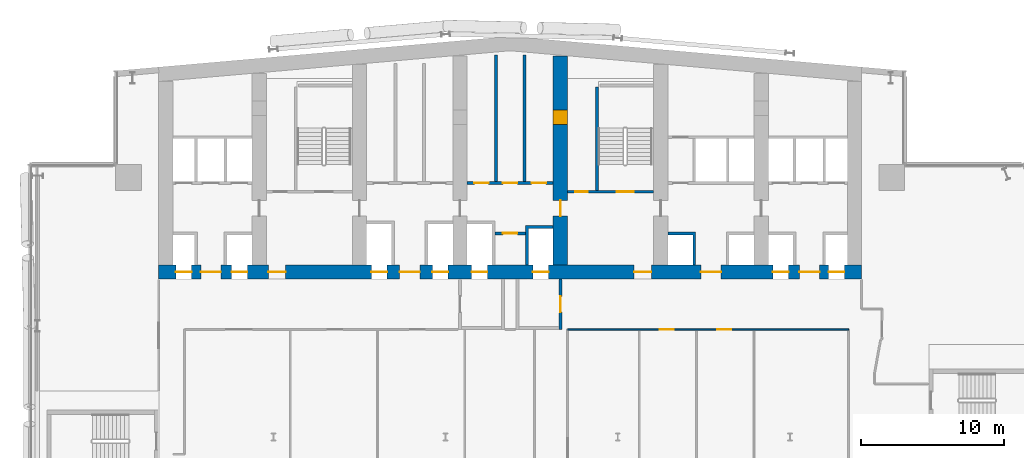
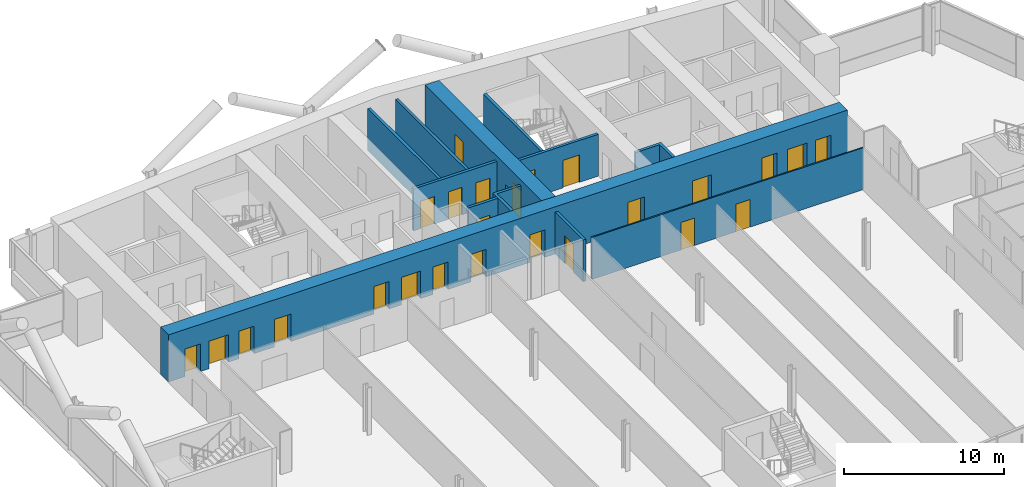
# One storey, part 16 of 25: 25 doors, 12 walls, 25 openings.
"""IFC4 building model written with IfcOpenShell, lengths in metres."""

from ifc_helpers import new_model, si_unit, direction, frame, frame_2d, origin, place, context, subcontext, project, spatial, polyline, rectangle, outline, extrude, material, layer, layer_set, type_object, element, fill, save


model = new_model("IFC4")

# Units and contexts
model_context = context("Model", 3, precision=1e-05, world=origin(), true_north=direction((0.0, 1.0)))
body_context = subcontext(model_context, "Body", "Model", "MODEL_VIEW")
ifc_project = project(units=[si_unit("LENGTHUNIT", "METRE"), si_unit("AREAUNIT", "SQUARE_METRE"), si_unit("VOLUMEUNIT", "CUBIC_METRE"), si_unit("PLANEANGLEUNIT", "RADIAN"), si_unit("MASSUNIT", "GRAM", prefix="KILO")], contexts=[model_context])

# Site, building, storey
site_placement = place(None, origin())
site = spatial("IfcSite", under=ifc_project, at=site_placement, CompositionType="ELEMENT")
building_placement = place(site_placement, origin())
building = spatial("IfcBuilding", under=site, at=building_placement, Name="Wharfspan Tower", CompositionType="ELEMENT")
storey_placement = place(building_placement, frame((0.0, 0.0, 129.100098)))
storey = spatial("IfcBuildingStorey", under=building, at=storey_placement, Name="L30", CompositionType="ELEMENT", Elevation=129.100098)

# Wall, openings, doors
ifc_material_1 = material(Name="Gypsum board on steel studs", Category="steel")
ifc_layer_1 = layer(ifc_material_1, 0.100098)
ifc_layer_set_1 = layer_set([ifc_layer_1], Name="Gypsum board on steel studs")
wall_type_1 = type_object("IfcWallType", Name="Compartment wall 100 EI 60", PredefinedType="PARTITIONING", material=ifc_layer_set_1)
wall_1_placement = place(storey_placement, frame((44.51001, 30.5, 0.0), z_axis=(0.0, 0.0, 1.0), x_axis=(1.0, 0.0, 0.0)))
wall_1 = element("IfcWall", 1, at=wall_1_placement, inside=storey, type_object=wall_type_1, Name="Partition L30.w014", PredefinedType="PARTITIONING", context=body_context, shape_type="SweptSolid", body=[
    extrude(rectangle(XDim=19.590088, YDim=0.100098, at=frame_2d((9.794922, 0.0))), origin(), (0.0, 0.0, 1.0), 3.199951),
])
opening_1_placement = place(wall_1_placement, frame((6.409912, 0.0, 0.0)))
opening_1 = element("IfcOpeningElement", 2, at=opening_1_placement, cuts=wall_1, Name="Opening B4-13", PredefinedType="OPENING", context=body_context, shape_type="SweptSolid", body=[
    extrude(rectangle(XDim=1.0, YDim=2.100098, at=frame_2d((0.5, 1.050049))), frame((0.0, 0.060059, 0.0), z_axis=(0.0, -1.0, 0.0), x_axis=(1.0, 0.0, 0.0)), (0.0, 0.0, 1.0), 0.120117),
])
opening_2_placement = place(wall_1_placement, frame((10.409912, 0.0, 0.0)))
opening_2 = element("IfcOpeningElement", 3, at=opening_2_placement, cuts=wall_1, Name="Opening B4-14", PredefinedType="OPENING", context=body_context, shape_type="SweptSolid", body=[
    extrude(rectangle(XDim=1.0, YDim=2.100098, at=frame_2d((0.5, 1.050049))), frame((0.0, 0.060059, 0.0), z_axis=(0.0, -1.0, 0.0), x_axis=(1.0, 0.0, 0.0)), (0.0, 0.0, 1.0), 0.120117),
])
ifc_material_2 = material(Name="Fire-rated timber door leaf in steel frame", Category="steel")
door_type_1 = type_object("IfcDoorType", Name="Door 1000 FD30S Left", OperationType="SINGLE_SWING_LEFT", PredefinedType="DOOR", material=ifc_material_2)
door_1_placement = place(opening_1_placement, origin())
door_1 = element("IfcDoor", 4, at=door_1_placement, inside=storey, type_object=door_type_1, Name="Door B4-13", OperationType="SINGLE_SWING_LEFT", OverallHeight=2.100098, OverallWidth=1.0, PredefinedType="DOOR", context=body_context, shape_type="SweptSolid", body=[
    extrude(rectangle(XDim=1.0, YDim=2.100098, at=frame_2d((0.5, 1.050049))), frame((0.0, 0.024902, 0.0), z_axis=(0.0, -1.0, 0.0), x_axis=(1.0, 0.0, 0.0)), (0.0, 0.0, 1.0), 0.050049),
])
fill(opening_1, door_1)
door_type_2 = type_object("IfcDoorType", Name="Door 1000 FD30S Right", OperationType="SINGLE_SWING_RIGHT", PredefinedType="DOOR", material=ifc_material_2)
door_2_placement = place(opening_2_placement, origin())
door_2 = element("IfcDoor", 5, at=door_2_placement, inside=storey, type_object=door_type_2, Name="Door B4-14", OperationType="SINGLE_SWING_RIGHT", OverallHeight=2.100098, OverallWidth=1.0, PredefinedType="DOOR", context=body_context, shape_type="SweptSolid", body=[
    extrude(rectangle(XDim=1.0, YDim=2.100098, at=frame_2d((0.5, 1.050049))), frame((0.0, 0.024902, 0.0), z_axis=(0.0, -1.0, 0.0), x_axis=(1.0, 0.0, 0.0)), (0.0, 0.0, 1.0), 0.050049),
])
fill(opening_2, door_2)

# Wall, opening, door
ifc_material_3 = material(Name="Calcium silicate masonry", Category="masonry")
ifc_layer_2 = layer(ifc_material_3, 0.199951)
ifc_layer_set_2 = layer_set([ifc_layer_2], Name="Calcium silicate masonry")
wall_type_2 = type_object("IfcWallType", Name="Core room wall 200", PredefinedType="PARTITIONING", material=ifc_layer_set_2)
wall_2_placement = place(storey_placement, frame((39.43335, 37.199951, 0.0), z_axis=(0.0, 0.0, 1.0), x_axis=(1.0, 0.0, 0.0)))
wall_2 = element("IfcWall", 6, at=wall_2_placement, inside=storey, type_object=wall_type_2, Name="sw:L30:FR4.2", PredefinedType="PARTITIONING", context=body_context, shape_type="SweptSolid", body=[
    extrude(rectangle(XDim=2.133301, YDim=0.199951, at=frame_2d((1.06665, 0.0))), origin(), (0.0, 0.0, 1.0), 3.199951),
])
opening_3_placement = place(wall_2_placement, frame((0.56665, 0.0, 0.0)))
opening_3 = element("IfcOpeningElement", 7, at=opening_3_placement, cuts=wall_2, Name="Opening CD30.4H2", PredefinedType="OPENING", context=body_context, shape_type="SweptSolid", body=[
    extrude(rectangle(XDim=1.0, YDim=2.100098, at=frame_2d((0.5, 1.050049))), frame((0.0, 0.109863, 0.0), z_axis=(0.0, -1.0, 0.0), x_axis=(1.0, 0.0, 0.0)), (0.0, 0.0, 1.0), 0.219971),
])
ifc_material_4 = material(Name="Steel door leaf", Category="steel")
door_type_3 = type_object("IfcDoorType", Name="Core room door 1000x2100", OperationType="SINGLE_SWING_LEFT", PredefinedType="DOOR", material=ifc_material_4)
door_3_placement = place(opening_3_placement, origin())
door_3 = element("IfcDoor", 8, at=door_3_placement, inside=storey, type_object=door_type_3, Name="d:L30:4:fh4.2", OperationType="SINGLE_SWING_RIGHT", OverallHeight=2.100098, OverallWidth=1.0, PredefinedType="DOOR", context=body_context, shape_type="SweptSolid", body=[
    extrude(rectangle(XDim=1.0, YDim=2.100098, at=frame_2d((0.5, 1.050049))), frame((0.0, 0.024902, 0.0), z_axis=(0.0, -1.0, 0.0), x_axis=(1.0, 0.0, 0.0)), (0.0, 0.0, 1.0), 0.050049),
])
fill(opening_3, door_3)

# Walls
for number, where, z_axis, x_axis, name in (
    (9, (39.5, 40.800049, 0.0), (0.0, 0.0, 1.0), (0.0, 1.0, 0.0), "sw:L30:RP4.1"),
    (10, (41.5, 40.800049, 0.0), (0.0, 0.0, 1.0), (0.0, 1.0, 0.0), "sw:L30:RP4.2"),
):
    element("IfcWall", number, at=place(storey_placement, frame(where, z_axis=z_axis, x_axis=x_axis)), inside=storey, type_object=wall_type_2, Name=name, PredefinedType="PARTITIONING", context=body_context, shape_type="SweptSolid", body=[
        extrude(rectangle(XDim=8.844482, YDim=0.199951, at=frame_2d((4.422363, 0.0))), origin(), (0.0, 0.0, 1.0), 3.199951),
    ])

# Wall, openings, doors
ifc_material_5 = material(Name="Concrete C70/85", Category="concrete")
ifc_layer_3 = layer(ifc_material_5, 1.0)
ifc_layer_set_3 = layer_set([ifc_layer_3], Name="Concrete C70/85")
wall_type_3 = type_object("IfcWallType", Name="Core wall 1000 C70/85", PredefinedType="SHEAR", material=ifc_layer_set_3)
wall_3_placement = place(storey_placement, frame((16.0, 34.5, 0.0), z_axis=(0.0, 0.0, 1.0), x_axis=(1.0, 0.0, 0.0)))
wall_3 = element("IfcWall", 11, at=wall_3_placement, inside=storey, type_object=wall_type_3, Name="Core front wall L30", PredefinedType="SHEAR", context=body_context, shape_type="SweptSolid", body=[
    extrude(rectangle(XDim=49.0, YDim=1.0, at=frame_2d((24.5, 0.0))), origin(), (0.0, 0.0, 1.0), 3.599854),
])
opening_4_placement = place(wall_3_placement, frame((1.199951, 0.0, 0.0)))
opening_4 = element("IfcOpeningElement", 12, at=opening_4_placement, cuts=wall_3, Name="Opening LD.LA1.L30", PredefinedType="OPENING", context=body_context, shape_type="SweptSolid", body=[
    extrude(rectangle(XDim=1.100098, YDim=2.100098, at=frame_2d((0.550049, 1.050049))), frame((0.0, 0.51001, 0.0), z_axis=(0.0, -1.0, 0.0), x_axis=(1.0, 0.0, 0.0)), (0.0, 0.0, 1.0), 1.02002),
])
opening_5_placement = place(wall_3_placement, frame((5.083252, 0.0, 0.0)))
opening_5 = element("IfcOpeningElement", 13, at=opening_5_placement, cuts=wall_3, Name="Opening LD.LA2.L30", PredefinedType="OPENING", context=body_context, shape_type="SweptSolid", body=[
    extrude(rectangle(XDim=1.100098, YDim=2.100098, at=frame_2d((0.550049, 1.050049))), frame((0.0, 0.51001, 0.0), z_axis=(0.0, -1.0, 0.0), x_axis=(1.0, 0.0, 0.0)), (0.0, 0.0, 1.0), 1.02002),
])
opening_6_placement = place(wall_3_placement, frame((2.93335, 0.0, 0.0)))
opening_6 = element("IfcOpeningElement", 14, at=opening_6_placement, cuts=wall_3, Name="Opening HD30.1", PredefinedType="OPENING", context=body_context, shape_type="SweptSolid", body=[
    extrude(rectangle(XDim=1.399902, YDim=2.100098, at=frame_2d((0.699951, 1.050049))), frame((0.0, 0.51001, 0.0), z_axis=(0.0, -1.0, 0.0), x_axis=(1.0, 0.0, 0.0)), (0.0, 0.0, 1.0), 1.02002),
])
opening_7_placement = place(wall_3_placement, frame((7.649902, 0.0, 0.0)))
opening_7 = element("IfcOpeningElement", 15, at=opening_7_placement, cuts=wall_3, Name="Opening SV2.L30", PredefinedType="OPENING", context=body_context, shape_type="SweptSolid", body=[
    extrude(rectangle(XDim=1.199951, YDim=2.100098, at=frame_2d((0.600098, 1.050049))), frame((0.0, 0.51001, 0.0), z_axis=(0.0, -1.0, 0.0), x_axis=(1.0, 0.0, 0.0)), (0.0, 0.0, 1.0), 1.02002),
])
opening_8_placement = place(wall_3_placement, frame((14.81665, 0.0, 0.0)))
opening_8 = element("IfcOpeningElement", 16, at=opening_8_placement, cuts=wall_3, Name="Opening LD.SL1.L30", PredefinedType="OPENING", context=body_context, shape_type="SweptSolid", body=[
    extrude(rectangle(XDim=1.100098, YDim=2.100098, at=frame_2d((0.550049, 1.050049))), frame((0.0, 0.51001, 0.0), z_axis=(0.0, -1.0, 0.0), x_axis=(1.0, 0.0, 0.0)), (0.0, 0.0, 1.0), 1.02002),
])
opening_9_placement = place(wall_3_placement, frame((19.083252, 0.0, 0.0)))
opening_9 = element("IfcOpeningElement", 17, at=opening_9_placement, cuts=wall_3, Name="Opening LD.SL2.L30", PredefinedType="OPENING", context=body_context, shape_type="SweptSolid", body=[
    extrude(rectangle(XDim=1.100098, YDim=2.100098, at=frame_2d((0.550049, 1.050049))), frame((0.0, 0.51001, 0.0), z_axis=(0.0, -1.0, 0.0), x_axis=(1.0, 0.0, 0.0)), (0.0, 0.0, 1.0), 1.02002),
])
opening_10_placement = place(wall_3_placement, frame((16.800049, 0.0, 0.0)))
opening_10 = element("IfcOpeningElement", 18, at=opening_10_placement, cuts=wall_3, Name="Opening HD30.3", PredefinedType="OPENING", context=body_context, shape_type="SweptSolid", body=[
    extrude(rectangle(XDim=1.399902, YDim=2.100098, at=frame_2d((0.699951, 1.050049))), frame((0.0, 0.51001, 0.0), z_axis=(0.0, -1.0, 0.0), x_axis=(1.0, 0.0, 0.0)), (0.0, 0.0, 1.0), 1.02002),
])
opening_11_placement = place(wall_3_placement, frame((21.81665, 0.0, 0.0)))
opening_11 = element("IfcOpeningElement", 19, at=opening_11_placement, cuts=wall_3, Name="Opening LD.FF1.L30", PredefinedType="OPENING", context=body_context, shape_type="SweptSolid", body=[
    extrude(rectangle(XDim=1.100098, YDim=2.100098, at=frame_2d((0.550049, 1.050049))), frame((0.0, 0.51001, 0.0), z_axis=(0.0, -1.0, 0.0), x_axis=(1.0, 0.0, 0.0)), (0.0, 0.0, 1.0), 1.02002),
])
opening_12_placement = place(wall_3_placement, frame((26.083252, 0.0, 0.0)))
opening_12 = element("IfcOpeningElement", 20, at=opening_12_placement, cuts=wall_3, Name="Opening LD.FF2.L30", PredefinedType="OPENING", context=body_context, shape_type="SweptSolid", body=[
    extrude(rectangle(XDim=1.100098, YDim=2.100098, at=frame_2d((0.550049, 1.050049))), frame((0.0, 0.51001, 0.0), z_axis=(0.0, -1.0, 0.0), x_axis=(1.0, 0.0, 0.0)), (0.0, 0.0, 1.0), 1.02002),
])
opening_13_placement = place(wall_3_placement, frame((33.149902, 0.0, 0.0)))
opening_13 = element("IfcOpeningElement", 21, at=opening_13_placement, cuts=wall_3, Name="Opening SV5.L30", PredefinedType="OPENING", context=body_context, shape_type="SweptSolid", body=[
    extrude(rectangle(XDim=1.199951, YDim=2.100098, at=frame_2d((0.600098, 1.050049))), frame((0.0, 0.51001, 0.0), z_axis=(0.0, -1.0, 0.0), x_axis=(1.0, 0.0, 0.0)), (0.0, 0.0, 1.0), 1.02002),
])
opening_14_placement = place(wall_3_placement, frame((37.800049, 0.0, 0.0)))
opening_14 = element("IfcOpeningElement", 22, at=opening_14_placement, cuts=wall_3, Name="Opening HD30.6", PredefinedType="OPENING", context=body_context, shape_type="SweptSolid", body=[
    extrude(rectangle(XDim=1.399902, YDim=2.100098, at=frame_2d((0.699951, 1.050049))), frame((0.0, 0.51001, 0.0), z_axis=(0.0, -1.0, 0.0), x_axis=(1.0, 0.0, 0.0)), (0.0, 0.0, 1.0), 1.02002),
])
opening_15_placement = place(wall_3_placement, frame((42.81665, 0.0, 0.0)))
opening_15 = element("IfcOpeningElement", 23, at=opening_15_placement, cuts=wall_3, Name="Opening LD.LA6.L30", PredefinedType="OPENING", context=body_context, shape_type="SweptSolid", body=[
    extrude(rectangle(XDim=1.100098, YDim=2.100098, at=frame_2d((0.550049, 1.050049))), frame((0.0, 0.51001, 0.0), z_axis=(0.0, -1.0, 0.0), x_axis=(1.0, 0.0, 0.0)), (0.0, 0.0, 1.0), 1.02002),
])
opening_16_placement = place(wall_3_placement, frame((46.699951, 0.0, 0.0)))
opening_16 = element("IfcOpeningElement", 24, at=opening_16_placement, cuts=wall_3, Name="Opening LD.LA7.L30", PredefinedType="OPENING", context=body_context, shape_type="SweptSolid", body=[
    extrude(rectangle(XDim=1.100098, YDim=2.100098, at=frame_2d((0.550049, 1.050049))), frame((0.0, 0.51001, 0.0), z_axis=(0.0, -1.0, 0.0), x_axis=(1.0, 0.0, 0.0)), (0.0, 0.0, 1.0), 1.02002),
])
opening_17_placement = place(wall_3_placement, frame((44.666748, 0.0, 0.0)))
opening_17 = element("IfcOpeningElement", 25, at=opening_17_placement, cuts=wall_3, Name="Opening HD30.7", PredefinedType="OPENING", context=body_context, shape_type="SweptSolid", body=[
    extrude(rectangle(XDim=1.399902, YDim=2.100098, at=frame_2d((0.699951, 1.050049))), frame((0.0, 0.51001, 0.0), z_axis=(0.0, -1.0, 0.0), x_axis=(1.0, 0.0, 0.0)), (0.0, 0.0, 1.0), 1.02002),
])
door_type_4 = type_object("IfcDoorType", Name="Hall entry door 1400x2100", OperationType="DOUBLE_DOOR_SINGLE_SWING", PredefinedType="DOOR", material=ifc_material_4)
door_4_placement = place(opening_6_placement, origin())
door_4 = element("IfcDoor", 26, at=door_4_placement, inside=storey, type_object=door_type_4, Name="d:L30:1:hd1", OperationType="DOUBLE_DOOR_SINGLE_SWING", OverallHeight=2.100098, OverallWidth=1.399902, PredefinedType="DOOR", context=body_context, shape_type="SweptSolid", body=[
    extrude(rectangle(XDim=1.399902, YDim=2.100098, at=frame_2d((0.699951, 1.050049))), frame((0.0, 0.024902, 0.0), z_axis=(0.0, -1.0, 0.0), x_axis=(1.0, 0.0, 0.0)), (0.0, 0.0, 1.0), 0.050049),
])
fill(opening_6, door_4)
door_5_placement = place(opening_10_placement, origin())
door_5 = element("IfcDoor", 27, at=door_5_placement, inside=storey, type_object=door_type_4, Name="d:L30:3:hd3", OperationType="DOUBLE_DOOR_SINGLE_SWING", OverallHeight=2.100098, OverallWidth=1.399902, PredefinedType="DOOR", context=body_context, shape_type="SweptSolid", body=[
    extrude(rectangle(XDim=1.399902, YDim=2.100098, at=frame_2d((0.699951, 1.050049))), frame((0.0, 0.024902, 0.0), z_axis=(0.0, -1.0, 0.0), x_axis=(1.0, 0.0, 0.0)), (0.0, 0.0, 1.0), 0.050049),
])
fill(opening_10, door_5)
door_6_placement = place(opening_14_placement, origin())
door_6 = element("IfcDoor", 28, at=door_6_placement, inside=storey, type_object=door_type_4, Name="d:L30:6:hd6", OperationType="DOUBLE_DOOR_SINGLE_SWING", OverallHeight=2.100098, OverallWidth=1.399902, PredefinedType="DOOR", context=body_context, shape_type="SweptSolid", body=[
    extrude(rectangle(XDim=1.399902, YDim=2.100098, at=frame_2d((0.699951, 1.050049))), frame((0.0, 0.024902, 0.0), z_axis=(0.0, -1.0, 0.0), x_axis=(1.0, 0.0, 0.0)), (0.0, 0.0, 1.0), 0.050049),
])
fill(opening_14, door_6)
door_7_placement = place(opening_17_placement, origin())
door_7 = element("IfcDoor", 29, at=door_7_placement, inside=storey, type_object=door_type_4, Name="d:L30:7:hd7", OperationType="DOUBLE_DOOR_SINGLE_SWING", OverallHeight=2.100098, OverallWidth=1.399902, PredefinedType="DOOR", context=body_context, shape_type="SweptSolid", body=[
    extrude(rectangle(XDim=1.399902, YDim=2.100098, at=frame_2d((0.699951, 1.050049))), frame((0.0, 0.024902, 0.0), z_axis=(0.0, -1.0, 0.0), x_axis=(1.0, 0.0, 0.0)), (0.0, 0.0, 1.0), 0.050049),
])
fill(opening_17, door_7)
ifc_material_6 = material(Name="Stainless steel", Category="steel")
door_type_5 = type_object("IfcDoorType", Name="Lift landing door 1100x2100", OperationType="DOUBLE_DOOR_SLIDING", PredefinedType="DOOR", material=ifc_material_6)
door_8_placement = place(opening_4_placement, origin())
door_8 = element("IfcDoor", 30, at=door_8_placement, inside=storey, type_object=door_type_5, Name="Landing door LA1 L30", OperationType="DOUBLE_DOOR_SLIDING", OverallHeight=2.100098, OverallWidth=1.100098, PredefinedType="DOOR", context=body_context, shape_type="SweptSolid", body=[
    extrude(rectangle(XDim=1.100098, YDim=2.100098, at=frame_2d((0.550049, 1.050049))), frame((0.0, 0.024902, 0.0), z_axis=(0.0, -1.0, 0.0), x_axis=(1.0, 0.0, 0.0)), (0.0, 0.0, 1.0), 0.050049),
])
fill(opening_4, door_8)
door_9_placement = place(opening_5_placement, origin())
door_9 = element("IfcDoor", 31, at=door_9_placement, inside=storey, type_object=door_type_5, Name="Landing door LA2 L30", OperationType="DOUBLE_DOOR_SLIDING", OverallHeight=2.100098, OverallWidth=1.100098, PredefinedType="DOOR", context=body_context, shape_type="SweptSolid", body=[
    extrude(rectangle(XDim=1.100098, YDim=2.100098, at=frame_2d((0.550049, 1.050049))), frame((0.0, 0.024902, 0.0), z_axis=(0.0, -1.0, 0.0), x_axis=(1.0, 0.0, 0.0)), (0.0, 0.0, 1.0), 0.050049),
])
fill(opening_5, door_9)
door_10_placement = place(opening_8_placement, origin())
door_10 = element("IfcDoor", 32, at=door_10_placement, inside=storey, type_object=door_type_5, Name="Landing door SL1 L30", OperationType="DOUBLE_DOOR_SLIDING", OverallHeight=2.100098, OverallWidth=1.100098, PredefinedType="DOOR", context=body_context, shape_type="SweptSolid", body=[
    extrude(rectangle(XDim=1.100098, YDim=2.100098, at=frame_2d((0.550049, 1.050049))), frame((0.0, 0.024902, 0.0), z_axis=(0.0, -1.0, 0.0), x_axis=(1.0, 0.0, 0.0)), (0.0, 0.0, 1.0), 0.050049),
])
fill(opening_8, door_10)
door_11_placement = place(opening_9_placement, origin())
door_11 = element("IfcDoor", 33, at=door_11_placement, inside=storey, type_object=door_type_5, Name="Landing door SL2 L30", OperationType="DOUBLE_DOOR_SLIDING", OverallHeight=2.100098, OverallWidth=1.100098, PredefinedType="DOOR", context=body_context, shape_type="SweptSolid", body=[
    extrude(rectangle(XDim=1.100098, YDim=2.100098, at=frame_2d((0.550049, 1.050049))), frame((0.0, 0.024902, 0.0), z_axis=(0.0, -1.0, 0.0), x_axis=(1.0, 0.0, 0.0)), (0.0, 0.0, 1.0), 0.050049),
])
fill(opening_9, door_11)
door_12_placement = place(opening_11_placement, origin())
door_12 = element("IfcDoor", 34, at=door_12_placement, inside=storey, type_object=door_type_5, Name="Landing door FF1 L30", OperationType="DOUBLE_DOOR_SLIDING", OverallHeight=2.100098, OverallWidth=1.100098, PredefinedType="DOOR", context=body_context, shape_type="SweptSolid", body=[
    extrude(rectangle(XDim=1.100098, YDim=2.100098, at=frame_2d((0.550049, 1.050049))), frame((0.0, 0.024902, 0.0), z_axis=(0.0, -1.0, 0.0), x_axis=(1.0, 0.0, 0.0)), (0.0, 0.0, 1.0), 0.050049),
])
fill(opening_11, door_12)
door_13_placement = place(opening_12_placement, origin())
door_13 = element("IfcDoor", 35, at=door_13_placement, inside=storey, type_object=door_type_5, Name="Landing door FF2 L30", OperationType="DOUBLE_DOOR_SLIDING", OverallHeight=2.100098, OverallWidth=1.100098, PredefinedType="DOOR", context=body_context, shape_type="SweptSolid", body=[
    extrude(rectangle(XDim=1.100098, YDim=2.100098, at=frame_2d((0.550049, 1.050049))), frame((0.0, 0.024902, 0.0), z_axis=(0.0, -1.0, 0.0), x_axis=(1.0, 0.0, 0.0)), (0.0, 0.0, 1.0), 0.050049),
])
fill(opening_12, door_13)
door_14_placement = place(opening_15_placement, origin())
door_14 = element("IfcDoor", 36, at=door_14_placement, inside=storey, type_object=door_type_5, Name="Landing door LA6 L30", OperationType="DOUBLE_DOOR_SLIDING", OverallHeight=2.100098, OverallWidth=1.100098, PredefinedType="DOOR", context=body_context, shape_type="SweptSolid", body=[
    extrude(rectangle(XDim=1.100098, YDim=2.100098, at=frame_2d((0.550049, 1.050049))), frame((0.0, 0.024902, 0.0), z_axis=(0.0, -1.0, 0.0), x_axis=(1.0, 0.0, 0.0)), (0.0, 0.0, 1.0), 0.050049),
])
fill(opening_15, door_14)
door_15_placement = place(opening_16_placement, origin())
door_15 = element("IfcDoor", 37, at=door_15_placement, inside=storey, type_object=door_type_5, Name="Landing door LA7 L30", OperationType="DOUBLE_DOOR_SLIDING", OverallHeight=2.100098, OverallWidth=1.100098, PredefinedType="DOOR", context=body_context, shape_type="SweptSolid", body=[
    extrude(rectangle(XDim=1.100098, YDim=2.100098, at=frame_2d((0.550049, 1.050049))), frame((0.0, 0.024902, 0.0), z_axis=(0.0, -1.0, 0.0), x_axis=(1.0, 0.0, 0.0)), (0.0, 0.0, 1.0), 0.050049),
])
fill(opening_16, door_15)
door_type_6 = type_object("IfcDoorType", Name="Stair door 1200x2100", OperationType="SINGLE_SWING_LEFT", PredefinedType="DOOR", material=ifc_material_4)
door_16_placement = place(opening_7_placement, origin())
door_16 = element("IfcDoor", 38, at=door_16_placement, inside=storey, type_object=door_type_6, Name="vd:L30:2", OperationType="SINGLE_SWING_LEFT", OverallHeight=2.100098, OverallWidth=1.199951, PredefinedType="DOOR", context=body_context, shape_type="SweptSolid", body=[
    extrude(rectangle(XDim=1.199951, YDim=2.100098, at=frame_2d((0.600098, 1.050049))), frame((0.0, 0.024902, 0.0), z_axis=(0.0, -1.0, 0.0), x_axis=(1.0, 0.0, 0.0)), (0.0, 0.0, 1.0), 0.050049),
])
fill(opening_7, door_16)
door_17_placement = place(opening_13_placement, origin())
door_17 = element("IfcDoor", 39, at=door_17_placement, inside=storey, type_object=door_type_6, Name="vd:L30:5", OperationType="SINGLE_SWING_LEFT", OverallHeight=2.100098, OverallWidth=1.199951, PredefinedType="DOOR", context=body_context, shape_type="SweptSolid", body=[
    extrude(rectangle(XDim=1.199951, YDim=2.100098, at=frame_2d((0.600098, 1.050049))), frame((0.0, 0.024902, 0.0), z_axis=(0.0, -1.0, 0.0), x_axis=(1.0, 0.0, 0.0)), (0.0, 0.0, 1.0), 0.050049),
])
fill(opening_13, door_17)

wall_4_placement = place(storey_placement, frame((44.0, 35.0, 0.0), z_axis=(0.0, 0.0, 1.0), x_axis=(0.0, 1.0, 0.0)))
wall_4 = element("IfcWall", 40, at=wall_4_placement, inside=storey, type_object=wall_type_3, Name="Core cross wall X5 L30", PredefinedType="SHEAR", context=body_context, shape_type="SweptSolid", body=[
    extrude(rectangle(XDim=14.577148, YDim=1.0, at=frame_2d((7.288574, 0.0))), origin(), (0.0, 0.0, 1.0), 3.599854),
])
opening_18_placement = place(wall_4_placement, frame((3.399902, 0.0, 0.0)))
opening_18 = element("IfcOpeningElement", 41, at=opening_18_placement, cuts=wall_4, Name="Opening CC30.5", PredefinedType="OPENING", context=body_context, shape_type="SweptSolid", body=[
    extrude(rectangle(XDim=1.100098, YDim=2.100098, at=frame_2d((0.550049, 1.050049))), frame((0.0, 0.51001, 0.0), z_axis=(0.0, -1.0, 0.0), x_axis=(1.0, 0.0, 0.0)), (0.0, 0.0, 1.0), 1.02002),
])
opening_19_placement = place(wall_4_placement, frame((9.800049, 0.0, 0.0)))
opening_19 = element("IfcOpeningElement", 42, at=opening_19_placement, cuts=wall_4, Name="Opening CR30.5", PredefinedType="OPENING", context=body_context, shape_type="SweptSolid", body=[
    extrude(rectangle(XDim=1.0, YDim=2.100098, at=frame_2d((0.5, 1.050049))), frame((0.0, 0.51001, 0.0), z_axis=(0.0, -1.0, 0.0), x_axis=(1.0, 0.0, 0.0)), (0.0, 0.0, 1.0), 1.02002),
])
door_type_7 = type_object("IfcDoorType", Name="Core corridor door 1100x2100", OperationType="SINGLE_SWING_LEFT", PredefinedType="DOOR", material=ifc_material_4)
door_18_placement = place(opening_18_placement, origin())
door_18 = element("IfcDoor", 43, at=door_18_placement, inside=storey, type_object=door_type_7, Name="xd:L30:5", OperationType="SINGLE_SWING_LEFT", OverallHeight=2.100098, OverallWidth=1.100098, PredefinedType="DOOR", context=body_context, shape_type="SweptSolid", body=[
    extrude(rectangle(XDim=1.100098, YDim=2.100098, at=frame_2d((0.550049, 1.050049))), frame((0.0, 0.024902, 0.0), z_axis=(0.0, -1.0, 0.0), x_axis=(1.0, 0.0, 0.0)), (0.0, 0.0, 1.0), 0.050049),
])
fill(opening_18, door_18)
door_19_placement = place(opening_19_placement, origin())
door_19 = element("IfcDoor", 44, at=door_19_placement, inside=storey, type_object=door_type_3, Name="xr:L30:5", OperationType="SINGLE_SWING_RIGHT", OverallHeight=2.100098, OverallWidth=1.0, PredefinedType="DOOR", context=body_context, shape_type="SweptSolid", body=[
    extrude(rectangle(XDim=1.0, YDim=2.100098, at=frame_2d((0.5, 1.050049))), frame((0.0, 0.499756, 0.0), z_axis=(0.0, -1.0, 0.0), x_axis=(1.0, 0.0, 0.0)), (0.0, 0.0, 1.0), 0.999512),
])
fill(opening_19, door_19)

ifc_material_7 = material(Name="Concrete C30/37", Category="concrete")
ifc_layer_4 = layer(ifc_material_7, 0.199951)
ifc_layer_set_4 = layer_set([ifc_layer_4], Name="Concrete C30/37")
wall_type_4 = type_object("IfcWallType", Name="Lift shaft wall 200", PredefinedType="PARTITIONING", material=ifc_layer_set_4)
wall_5_placement = place(storey_placement, frame((37.5, 40.699951, 0.0), z_axis=(0.0, 0.0, 1.0), x_axis=(1.0, 0.0, 0.0)))
wall_5 = element("IfcWall", 45, at=wall_5_placement, inside=storey, type_object=wall_type_4, Name="sw:L30:RF4", PredefinedType="PARTITIONING", context=body_context, shape_type="SweptSolid", body=[
    extrude(rectangle(XDim=6.0, YDim=0.199951, at=frame_2d((3.0, 0.0))), origin(), (0.0, 0.0, 1.0), 3.199951),
])
opening_20_placement = place(wall_5_placement, frame((0.5, 0.0, 0.0)))
opening_20 = element("IfcOpeningElement", 46, at=opening_20_placement, cuts=wall_5, Name="Opening CD30.4S", PredefinedType="OPENING", context=body_context, shape_type="SweptSolid", body=[
    extrude(rectangle(XDim=1.0, YDim=2.100098, at=frame_2d((0.5, 1.050049))), frame((0.0, 0.109863, 0.0), z_axis=(0.0, -1.0, 0.0), x_axis=(1.0, 0.0, 0.0)), (0.0, 0.0, 1.0), 0.219971),
])
opening_21_placement = place(wall_5_placement, frame((2.5, 0.0, 0.0)))
opening_21 = element("IfcOpeningElement", 47, at=opening_21_placement, cuts=wall_5, Name="Opening CD30.4Sa", PredefinedType="OPENING", context=body_context, shape_type="SweptSolid", body=[
    extrude(rectangle(XDim=1.0, YDim=2.100098, at=frame_2d((0.5, 1.050049))), frame((0.0, 0.109863, 0.0), z_axis=(0.0, -1.0, 0.0), x_axis=(1.0, 0.0, 0.0)), (0.0, 0.0, 1.0), 0.219971),
])
opening_22_placement = place(wall_5_placement, frame((4.5, 0.0, 0.0)))
opening_22 = element("IfcOpeningElement", 48, at=opening_22_placement, cuts=wall_5, Name="Opening CD30.4Sb", PredefinedType="OPENING", context=body_context, shape_type="SweptSolid", body=[
    extrude(rectangle(XDim=1.0, YDim=2.100098, at=frame_2d((0.5, 1.050049))), frame((0.0, 0.109863, 0.0), z_axis=(0.0, -1.0, 0.0), x_axis=(1.0, 0.0, 0.0)), (0.0, 0.0, 1.0), 0.219971),
])
door_20_placement = place(opening_20_placement, origin())
door_20 = element("IfcDoor", 49, at=door_20_placement, inside=storey, type_object=door_type_3, Name="d:L30:4:sf", OperationType="SINGLE_SWING_LEFT", OverallHeight=2.100098, OverallWidth=1.0, PredefinedType="DOOR", context=body_context, shape_type="SweptSolid", body=[
    extrude(rectangle(XDim=1.0, YDim=2.100098, at=frame_2d((0.5, 1.050049))), frame((0.0, 0.024902, 0.0), z_axis=(0.0, -1.0, 0.0), x_axis=(1.0, 0.0, 0.0)), (0.0, 0.0, 1.0), 0.050049),
])
fill(opening_20, door_20)
door_21_placement = place(opening_21_placement, origin())
door_21 = element("IfcDoor", 50, at=door_21_placement, inside=storey, type_object=door_type_3, Name="d:L30:4:sf1", OperationType="SINGLE_SWING_LEFT", OverallHeight=2.100098, OverallWidth=1.0, PredefinedType="DOOR", context=body_context, shape_type="SweptSolid", body=[
    extrude(rectangle(XDim=1.0, YDim=2.100098, at=frame_2d((0.5, 1.050049))), frame((0.0, 0.024902, 0.0), z_axis=(0.0, -1.0, 0.0), x_axis=(1.0, 0.0, 0.0)), (0.0, 0.0, 1.0), 0.050049),
])
fill(opening_21, door_21)
door_22_placement = place(opening_22_placement, origin())
door_22 = element("IfcDoor", 51, at=door_22_placement, inside=storey, type_object=door_type_3, Name="d:L30:4:sf2", OperationType="SINGLE_SWING_LEFT", OverallHeight=2.100098, OverallWidth=1.0, PredefinedType="DOOR", context=body_context, shape_type="SweptSolid", body=[
    extrude(rectangle(XDim=1.0, YDim=2.100098, at=frame_2d((0.5, 1.050049))), frame((0.0, 0.024902, 0.0), z_axis=(0.0, -1.0, 0.0), x_axis=(1.0, 0.0, 0.0)), (0.0, 0.0, 1.0), 0.050049),
])
fill(opening_22, door_22)

# Walls
wall_6_placement = place(storey_placement, frame((0.0, 0.0, -0.000244)))
element("IfcWall", 52, at=wall_6_placement, inside=storey, type_object=wall_type_4, Name="sw:L30:FM4.0", PredefinedType="PARTITIONING", context=body_context, shape_type="SweptSolid", body=[
    extrude(outline(polyline([(41.56665, 37.75), (41.766602, 37.75), (43.5, 37.75), (43.5, 37.550049), (41.766602, 37.550049), (41.766602, 35.0), (41.56665, 35.0), (41.56665, 37.75)])), origin(), (0.0, 0.0, 1.0), 3.200195),
])
wall_7_placement = place(storey_placement, frame((0.0, 0.0, -0.000244)))
element("IfcWall", 53, at=wall_7_placement, inside=storey, type_object=wall_type_4, Name="sw:L30:FM6.0", PredefinedType="PARTITIONING", context=body_context, shape_type="SweptSolid", body=[
    extrude(outline(polyline([(53.233398, 37.100098), (51.5, 37.100098), (51.5, 37.300049), (53.233398, 37.300049), (53.43335, 37.300049), (53.43335, 35.0), (53.233398, 35.0), (53.233398, 37.100098)])), origin(), (0.0, 0.0, 1.0), 3.200195),
])

# Wall, opening, door
ifc_layer_5 = layer(ifc_material_7, 0.199951)
ifc_layer_set_5 = layer_set([ifc_layer_5], Name="Concrete C30/37")
wall_type_5 = type_object("IfcWallType", Name="Lobby wall 200", PredefinedType="PARTITIONING", material=ifc_layer_set_5)
wall_8_placement = place(storey_placement, frame((44.0, 30.5, 0.0), z_axis=(0.0, 0.0, 1.0), x_axis=(0.0, 1.0, 0.0)))
wall_8 = element("IfcWall", 54, at=wall_8_placement, inside=storey, type_object=wall_type_5, Name="sw:L30:FLFF2E", PredefinedType="PARTITIONING", context=body_context, shape_type="SweptSolid", body=[
    extrude(rectangle(XDim=3.5, YDim=0.199951, at=frame_2d((1.75, 0.0))), origin(), (0.0, 0.0, 1.0), 3.199951),
])
opening_23_placement = place(wall_8_placement, frame((1.199951, 0.0, 0.0)))
opening_23 = element("IfcOpeningElement", 55, at=opening_23_placement, cuts=wall_8, Name="Opening FL.FF2.L30", PredefinedType="OPENING", context=body_context, shape_type="SweptSolid", body=[
    extrude(rectangle(XDim=1.100098, YDim=2.100098, at=frame_2d((0.550049, 1.050049))), frame((0.0, 0.109863, 0.0), z_axis=(0.0, -1.0, 0.0), x_axis=(1.0, 0.0, 0.0)), (0.0, 0.0, 1.0), 0.219971),
])
door_type_8 = type_object("IfcDoorType", Name="Firefighting lobby door 1100x2100", OperationType="SINGLE_SWING_LEFT", PredefinedType="DOOR", material=ifc_material_4)
door_23_placement = place(opening_23_placement, origin())
door_23 = element("IfcDoor", 56, at=door_23_placement, inside=storey, type_object=door_type_8, Name="fd:L30:FF2", OperationType="SINGLE_SWING_LEFT", OverallHeight=2.100098, OverallWidth=1.100098, PredefinedType="DOOR", context=body_context, shape_type="SweptSolid", body=[
    extrude(rectangle(XDim=1.100098, YDim=2.100098, at=frame_2d((0.550049, 1.050049))), frame((0.0, 0.024902, 0.0), z_axis=(0.0, -1.0, 0.0), x_axis=(1.0, 0.0, 0.0)), (0.0, 0.0, 1.0), 0.050049),
])
fill(opening_23, door_23)

# Wall, openings, doors
ifc_material_8 = material(Name="Concrete C40/50", Category="concrete")
ifc_layer_6 = layer(ifc_material_8, 0.199951)
ifc_layer_set_6 = layer_set([ifc_layer_6], Name="Concrete C40/50")
wall_type_6 = type_object("IfcWallType", Name="Stair shaft wall 200", PredefinedType="SHEAR", material=ifc_layer_set_6)
wall_9_placement = place(storey_placement, frame((44.5, 40.100098, 0.0), z_axis=(0.0, 0.0, 1.0), x_axis=(1.0, 0.0, 0.0)))
wall_9 = element("IfcWall", 57, at=wall_9_placement, inside=storey, type_object=wall_type_6, Name="ST2 stair enclosure wall L30", PredefinedType="SHEAR", context=body_context, shape_type="SweptSolid", body=[
    extrude(rectangle(XDim=6.0, YDim=0.199951, at=frame_2d((3.0, 0.0))), origin(), (0.0, 0.0, 1.0), 3.199951),
])
opening_24_placement = place(wall_9_placement, frame((3.425049, 0.0, 0.0)))
opening_24 = element("IfcOpeningElement", 58, at=opening_24_placement, cuts=wall_9, Name="Opening SD5.L30", PredefinedType="OPENING", context=body_context, shape_type="SweptSolid", body=[
    extrude(rectangle(XDim=1.199951, YDim=2.100098, at=frame_2d((0.600098, 1.050049))), frame((0.0, 0.109863, 0.0), z_axis=(0.0, -1.0, 0.0), x_axis=(1.0, 0.0, 0.0)), (0.0, 0.0, 1.0), 0.219971),
])
opening_25_placement = place(wall_9_placement, frame((0.524902, 0.0, 0.0)))
opening_25 = element("IfcOpeningElement", 59, at=opening_25_placement, cuts=wall_9, Name="Opening CD30.5R", PredefinedType="OPENING", context=body_context, shape_type="SweptSolid", body=[
    extrude(rectangle(XDim=0.899902, YDim=2.100098, at=frame_2d((0.449951, 1.050049))), frame((0.0, 0.109863, 0.0), z_axis=(0.0, -1.0, 0.0), x_axis=(1.0, 0.0, 0.0)), (0.0, 0.0, 1.0), 0.219971),
])
door_24_placement = place(opening_25_placement, origin())
door_24 = element("IfcDoor", 60, at=door_24_placement, inside=storey, type_object=door_type_3, Name="rk:L30:5", OperationType="SINGLE_SWING_LEFT", OverallHeight=2.100098, OverallWidth=0.899902, PredefinedType="DOOR", context=body_context, shape_type="SweptSolid", body=[
    extrude(rectangle(XDim=0.899902, YDim=2.100098, at=frame_2d((0.449951, 1.050049))), frame((0.0, 0.024902, 0.0), z_axis=(0.0, -1.0, 0.0), x_axis=(1.0, 0.0, 0.0)), (0.0, 0.0, 1.0), 0.050049),
])
fill(opening_25, door_24)
door_25_placement = place(opening_24_placement, origin())
door_25 = element("IfcDoor", 61, at=door_25_placement, inside=storey, type_object=door_type_6, Name="sd:L30:5", OperationType="SINGLE_SWING_RIGHT", OverallHeight=2.100098, OverallWidth=1.199951, PredefinedType="DOOR", context=body_context, shape_type="SweptSolid", body=[
    extrude(rectangle(XDim=1.199951, YDim=2.100098, at=frame_2d((0.600098, 1.050049))), frame((0.0, 0.024902, 0.0), z_axis=(0.0, -1.0, 0.0), x_axis=(1.0, 0.0, 0.0)), (0.0, 0.0, 1.0), 0.050049),
])
fill(opening_24, door_25)

# Wall
wall_10_placement = place(storey_placement, frame((46.550049, 40.199951, 0.0), z_axis=(0.0, 0.0, 1.0), x_axis=(0.0, 1.0, 0.0)))
element("IfcWall", 62, at=wall_10_placement, inside=storey, type_object=wall_type_6, Name="ST2 stair enclosure wall L30", PredefinedType="SHEAR", context=body_context, shape_type="SweptSolid", body=[
    extrude(rectangle(XDim=7.199951, YDim=0.199951, at=frame_2d((3.600098, 0.0))), origin(), (0.0, 0.0, 1.0), 3.199951),
])

save(model, "model.ifc")
